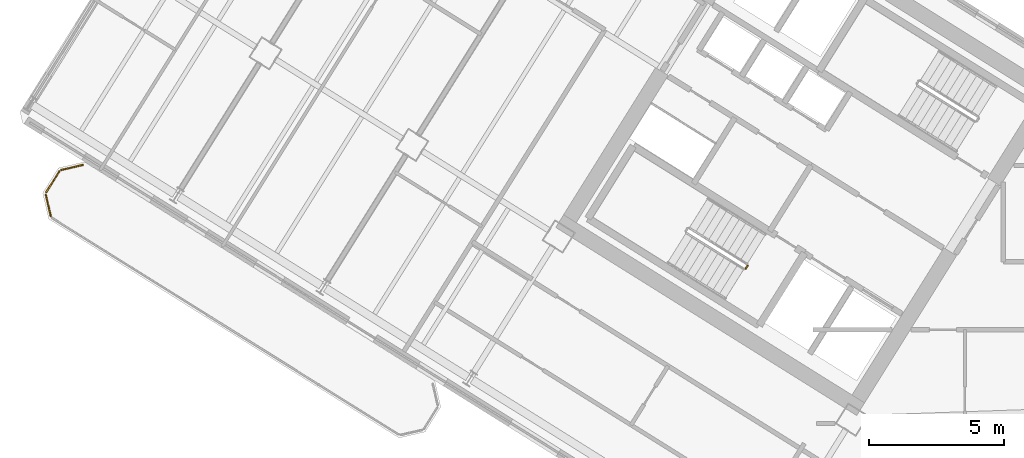
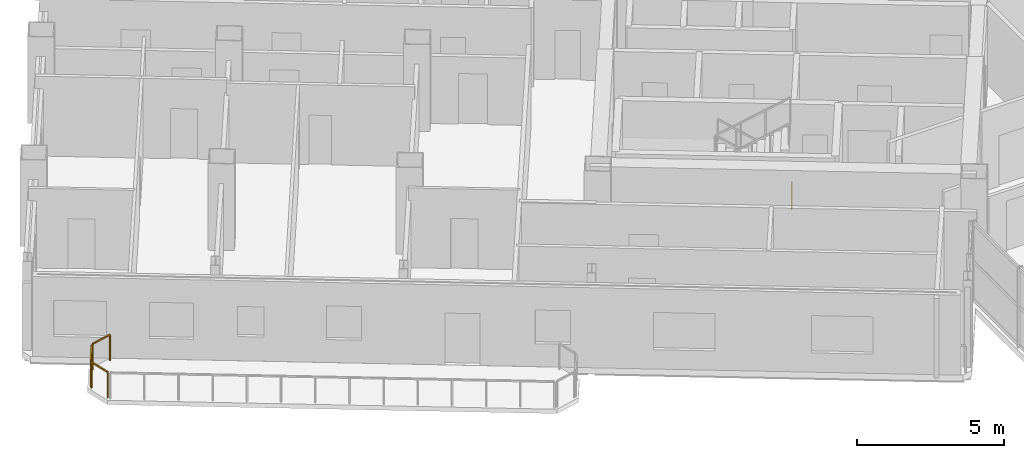
# One storey, part 23 of 29: 4 railings.
"""IFC4 building model written with IfcOpenShell, lengths in metres."""

from ifc_helpers import new_model, si_unit, direction, frame, origin, origin_2d, place, context, subcontext, project, spatial, rectangle, extrude, source, transform, mapped, material, type_object, element, save


model = new_model("IFC4")

# Units and contexts
model_context = context("Model", 3, precision=1e-05, world=origin(), true_north=direction((0.0, 1.0)))
body_context = subcontext(model_context, "Body", "Model", "MODEL_VIEW")
ifc_project = project(units=[si_unit("LENGTHUNIT", "METRE"), si_unit("AREAUNIT", "SQUARE_METRE"), si_unit("VOLUMEUNIT", "CUBIC_METRE"), si_unit("PLANEANGLEUNIT", "RADIAN"), si_unit("MASSUNIT", "GRAM", prefix="KILO")], contexts=[model_context])

# Site, building, storey
site_placement = place(None, origin())
site = spatial("IfcSite", under=ifc_project, at=site_placement, CompositionType="ELEMENT")
building_placement = place(site_placement, origin())
building = spatial("IfcBuilding", under=site, at=building_placement, Name="Tlacorven Tower", CompositionType="ELEMENT")
storey_placement = place(building_placement, frame((0.0, 0.0, 165.89990234375)))
storey = spatial("IfcBuildingStorey", under=building, at=storey_placement, Name="L42", CompositionType="ELEMENT", Elevation=165.89990234375)

# Railings
ifc_material = material(Name="Aluminium and painted steel balustrade", Category="steel")
railing_type_1 = type_object("IfcRailingType", Name="RL-BAL-1100", PredefinedType="BALUSTRADE", material=ifc_material)
shared_shape_1 = source(origin(), body_context, "Body", "SweptSolid", [
    extrude(rectangle(XDim=0.048095703125, YDim=0.048095703125, at=origin_2d()), frame((0.0, 0.0, 1.076171875), z_axis=(-0.225058334816, 0.974345290916, 0.0), x_axis=(-0.974345290916, -0.225058334816, 0.0)), (0.0, 0.0, 1.0), 0.80712890625),
    extrude(rectangle(XDim=0.0419921875, YDim=0.0419921875, at=origin_2d()), origin(), (0.0, 0.0, 1.0), 1.052001953125),
    extrude(rectangle(XDim=0.0419921875, YDim=0.0419921875, at=origin_2d()), frame((-0.181640625, 0.786376953125, 0.0)), (0.0, 0.0, 1.0), 1.052001953125),
])
railing_1_placement = place(storey_placement, frame((3.380859375, 19.62841796875, 0.0)))
element("IfcRailing", 1, at=railing_1_placement, inside=storey, type_object=railing_type_1, Name="BAL-L42-W-OUT Guard Railing 5", PredefinedType="BALUSTRADE", context=body_context, shape_type="MappedRepresentation", body=[
    mapped(shared_shape_1, transform((0.0, 0.0, 0.0), scale=1.0)),
])
shared_shape_2 = source(origin(), body_context, "Body", "SweptSolid", [
    extrude(rectangle(XDim=0.048095703125, YDim=0.048095703125, at=origin_2d()), frame((0.0, 0.0, 1.076171875), z_axis=(0.52987865805, 0.848073468364, 0.0), x_axis=(-0.848073468364, 0.52987865805, 0.0)), (0.0, 0.0, 1.0), 0.912353515625),
    extrude(rectangle(XDim=0.0419921875, YDim=0.0419921875, at=origin_2d()), origin(), (0.0, 0.0, 1.0), 1.052001953125),
    extrude(rectangle(XDim=0.0419921875, YDim=0.0419921875, at=origin_2d()), frame((0.4833984375, 0.773681640625, 0.0)), (0.0, 0.0, 1.0), 1.052001953125),
])
railing_2_placement = place(storey_placement, frame((3.214599609375, 20.505859375, 0.0)))
element("IfcRailing", 2, at=railing_2_placement, inside=storey, type_object=railing_type_1, Name="BAL-L42-W-OUT Guard Railing 6", PredefinedType="BALUSTRADE", context=body_context, shape_type="MappedRepresentation", body=[
    mapped(shared_shape_2, transform((0.0, 0.0, 0.0), scale=1.0)),
])
shared_shape_3 = source(origin(), body_context, "Body", "SweptSolid", [
    extrude(rectangle(XDim=0.048095703125, YDim=0.048095703125, at=origin_2d()), frame((0.0, 0.0, 1.076171875), z_axis=(0.974345290916, 0.225058334816, 0.0), x_axis=(-0.225058334816, 0.974345290916, 0.0)), (0.0, 0.0, 1.0), 0.80712890625),
    extrude(rectangle(XDim=0.0419921875, YDim=0.0419921875, at=origin_2d()), origin(), (0.0, 0.0, 1.0), 1.052001953125),
    extrude(rectangle(XDim=0.0419921875, YDim=0.0419921875, at=origin_2d()), frame((0.786376953125, 0.181640625, 0.0)), (0.0, 0.0, 1.0), 1.052001953125),
])
railing_3_placement = place(storey_placement, frame((3.773193359375, 21.3330078125, 0.0)))
element("IfcRailing", 3, at=railing_3_placement, inside=storey, type_object=railing_type_1, Name="BAL-L42-W-OUT Guard Railing 7", PredefinedType="BALUSTRADE", context=body_context, shape_type="MappedRepresentation", body=[
    mapped(shared_shape_3, transform((0.0, 0.0, 0.0), scale=1.0)),
])
railing_type_2 = type_object("IfcRailingType", Name="RL-GRD-1100", PredefinedType="GUARDRAIL", material=ifc_material)
shared_shape_4 = source(origin(), body_context, "Body", "SweptSolid", [
    extrude(rectangle(XDim=0.048095703125, YDim=0.048095703125, at=origin_2d()), frame((0.0, 0.0, 1.076171875), z_axis=(-0.529084052582, -0.848569422795, 0.0), x_axis=(0.848569422795, -0.529084052582, 0.0)), (0.0, 0.0, 1.0), 0.119873046875),
    extrude(rectangle(XDim=0.0419921875, YDim=0.0419921875, at=origin_2d()), origin(), (0.0, 0.0, 1.0), 1.052001953125),
    extrude(rectangle(XDim=0.0419921875, YDim=0.0419921875, at=origin_2d()), frame((-0.0634765625, -0.101806640625, 0.0)), (0.0, 0.0, 1.0), 1.052001953125),
])
railing_4_placement = place(storey_placement, frame((29.176513671875, 17.782958984375, 0.0)))
element("IfcRailing", 4, at=railing_4_placement, inside=storey, type_object=railing_type_2, Name="L42 ST-W1 stair guard 4", PredefinedType="GUARDRAIL", context=body_context, shape_type="MappedRepresentation", body=[
    mapped(shared_shape_4, transform((0.0, 0.0, 0.0), scale=1.0)),
])

save(model, "model.ifc")
